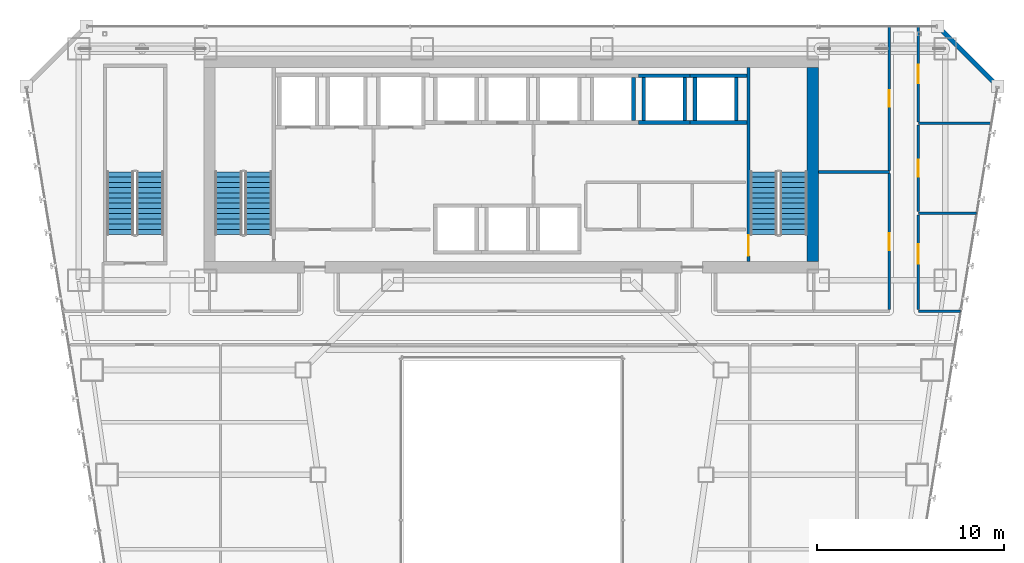
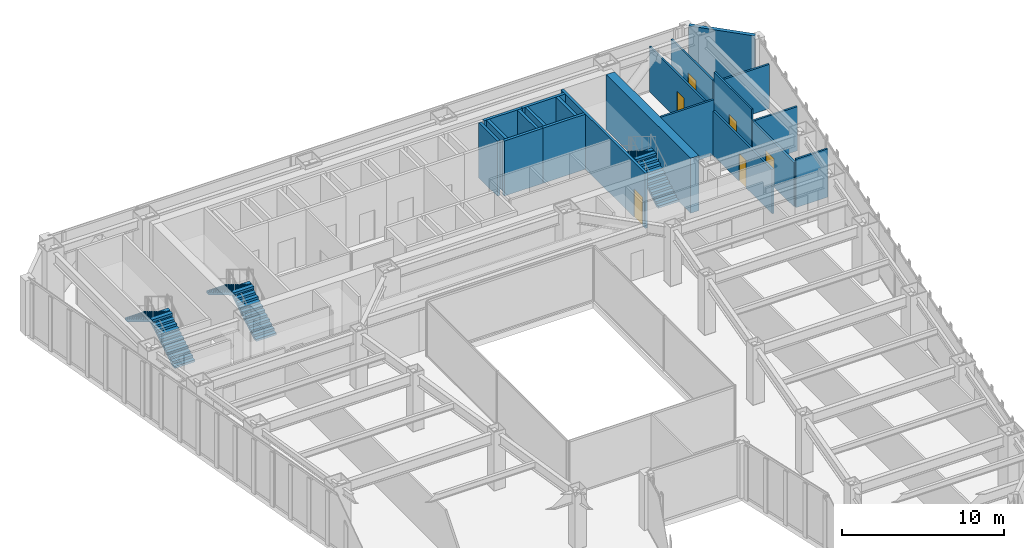
# One storey, part 38 of 49: 21 walls, 6 doors, 6 stair flights, 6 openings, 3 elements without a shape of their own.
"""IFC4 building model written with IfcOpenShell, lengths in metres."""

from ifc_helpers import new_model, si_unit, direction, frame, frame_2d, origin, place, context, subcontext, project, spatial, polyline, rectangle, outline, extrude, material, layer, layer_set, type_object, element, fill, aggregate, save


model = new_model("IFC4")

# Units and contexts
model_context = context("Model", 3, precision=1e-05, world=origin(), true_north=direction((0.0, 1.0)))
body_context = subcontext(model_context, "Body", "Model", "MODEL_VIEW")
ifc_project = project(units=[si_unit("LENGTHUNIT", "METRE"), si_unit("AREAUNIT", "SQUARE_METRE"), si_unit("VOLUMEUNIT", "CUBIC_METRE"), si_unit("PLANEANGLEUNIT", "RADIAN"), si_unit("MASSUNIT", "GRAM", prefix="KILO")], contexts=[model_context])

# Site, building, storey
site_placement = place(None, origin())
site = spatial("IfcSite", under=ifc_project, at=site_placement, CompositionType="ELEMENT")
building_placement = place(site_placement, origin())
building = spatial("IfcBuilding", under=site, at=building_placement, Name="Saevonmaru Cultural Tower", CompositionType="ELEMENT")
storey_placement = place(building_placement, frame((0.0, 0.0, 38.39990234375)))
storey = spatial("IfcBuildingStorey", under=building, at=storey_placement, Name="L07", CompositionType="ELEMENT", Elevation=38.39990234375)

# Walls
ifc_material_1 = material(Name="Concrete C60/75", Category="concrete")
ifc_layer_1 = layer(ifc_material_1, 0.60009765625, Name="Concrete C60/75")
ifc_layer_set_1 = layer_set([ifc_layer_1], Name="Concrete C60/75")
wall_type_1 = type_object("IfcWallType", Name="WL-CORE-600", PredefinedType="SHEAR", material=ifc_layer_set_1)
wall_1_placement = place(storey_placement, frame((46.10009765625, 43.39990234375, 0.0), z_axis=(0.0, 0.0, 1.0), x_axis=(0.0, 1.0, 0.0)))
element("IfcWall", 1, at=wall_1_placement, inside=storey, type_object=wall_type_1, Name="L07 Tower RC core shear wall E", PredefinedType="SHEAR", context=body_context, shape_type="SweptSolid", body=[
    extrude(rectangle(XDim=10.400146484375, YDim=0.60009765625, at=frame_2d((5.2001953125, 0.0))), origin(), (0.0, 0.0, 1.0), 4.150146484375),
])
ifc_material_2 = material(Name="Granite-Clad Precast Concrete C40/50", Category="masonry")
ifc_layer_2 = layer(ifc_material_2, 0.260009765625, Name="Granite-Clad Precast Concrete C40/50")
ifc_layer_set_2 = layer_set([ifc_layer_2], Name="Granite-Clad Precast Concrete C40/50")
wall_type_2 = type_object("IfcWallType", Name="WL-EXT-SPANDREL-260", PredefinedType="STANDARD", material=ifc_layer_set_2)
wall_2_placement = place(storey_placement, frame((55.886962890625, 52.9130859375, 0.0), z_axis=(0.0, 0.0, 1.0), x_axis=(-0.707106781187, 0.707106781187, 0.0)))
element("IfcWall", 2, at=wall_2_placement, inside=storey, type_object=wall_type_2, Name="L07 Chamfer Corner Spandrel Wall E9", PredefinedType="STANDARD", context=body_context, shape_type="SweptSolid", body=[
    extrude(rectangle(XDim=4.205810546875, YDim=0.260009765625, at=frame_2d((2.10302734375, 0.0))), origin(), (0.0, 0.0, 1.0), 4.150146484375),
])

# Wall, opening, door
ifc_material_3 = material(Name="Gypsum Fireboard Partition", Category="gypsum")
ifc_layer_3 = layer(ifc_material_3, 0.14990234375, Name="Gypsum Fireboard Partition")
ifc_layer_set_3 = layer_set([ifc_layer_3], Name="Gypsum Fireboard Partition")
wall_type_3 = type_object("IfcWallType", Name="WL-PART-FIRE-150", PredefinedType="PARTITIONING", material=ifc_layer_set_3)
wall_3_placement = place(storey_placement, frame((51.75, 40.83740234375, 0.0), z_axis=(0.0, 0.0, 1.0), x_axis=(0.0, 1.0, 0.0)))
wall_3 = element("IfcWall", 3, at=wall_3_placement, inside=storey, type_object=wall_type_3, Name="L07 Permanent Exhibition Gallery Corridor Wall", PredefinedType="PARTITIONING", context=body_context, shape_type="SweptSolid", body=[
    extrude(rectangle(XDim=5.0751953125, YDim=0.14990234375, at=frame_2d((2.53759765625, 0.0))), origin(), (0.0, 0.0, 1.0), 3.335205078125),
])
opening_1_placement = place(wall_3_placement, frame((2.452880859375, 0.0, 0.0)))
opening_1 = element("IfcOpeningElement", 4, at=opening_1_placement, cuts=wall_3, Name="Opening ID-1", PredefinedType="OPENING", context=body_context, shape_type="SweptSolid", body=[
    extrude(rectangle(XDim=1.050048828125, YDim=2.14990234375, at=frame_2d((0.52490234375, 1.074951171875))), frame((0.0, 0.0849609375, 0.0), z_axis=(0.0, -1.0, 0.0), x_axis=(1.0, 0.0, 0.0)), (0.0, 0.0, 1.0), 0.169921875),
])
ifc_material_4 = material(Name="Satin Bronze Anodised Aluminium", Category="aluminium")
door_type_1 = type_object("IfcDoorType", Name="DR-INT-1050", OperationType="SINGLE_SWING_LEFT", PredefinedType="DOOR", material=ifc_material_4)
door_1_placement = place(opening_1_placement, origin())
door_1 = element("IfcDoor", 5, at=door_1_placement, inside=storey, type_object=door_type_1, Name="L07 Permanent Exhibition Gallery Door", OperationType="SINGLE_SWING_RIGHT", OverallHeight=2.14990234375, OverallWidth=1.050048828125, PredefinedType="DOOR", context=body_context, shape_type="SweptSolid", body=[
    extrude(rectangle(XDim=1.050048828125, YDim=2.14990234375, at=frame_2d((0.52490234375, 1.074951171875))), frame((0.0, 0.02490234375, 0.0), z_axis=(0.0, -1.0, 0.0), x_axis=(1.0, 0.0, 0.0)), (0.0, 0.0, 1.0), 0.050048828125),
])
fill(opening_1, door_1)

ifc_layer_4 = layer(ifc_material_3, 0.1201171875, Name="Gypsum Fireboard Partition")
ifc_layer_set_4 = layer_set([ifc_layer_4], Name="Gypsum Fireboard Partition")
wall_type_4 = type_object("IfcWallType", Name="WL-PART-GYP-120", PredefinedType="PARTITIONING", material=ifc_layer_set_4)
wall_4_placement = place(storey_placement, frame((50.199951171875, 48.2900390625, 0.0), z_axis=(0.0, 0.0, 1.0), x_axis=(0.0, 1.0, 0.0)))
wall_4 = element("IfcWall", 6, at=wall_4_placement, inside=storey, type_object=wall_type_4, Name="L07 Curatorial Research Office Corridor Wall", PredefinedType="PARTITIONING", context=body_context, shape_type="SweptSolid", body=[
    extrude(rectangle(XDim=7.705078125, YDim=0.1201171875, at=frame_2d((3.8525390625, 0.0))), origin(), (0.0, 0.0, 1.0), 3.43505859375),
])
opening_2_placement = place(wall_4_placement, frame((3.402099609375, 0.0, 0.0)))
opening_2 = element("IfcOpeningElement", 7, at=opening_2_placement, cuts=wall_4, Name="Opening ID-2", PredefinedType="OPENING", context=body_context, shape_type="SweptSolid", body=[
    extrude(rectangle(XDim=0.89990234375, YDim=2.10009765625, at=frame_2d((0.449951171875, 1.050048828125))), frame((0.0, 0.070068359375, 0.0), z_axis=(0.0, -1.0, 0.0), x_axis=(1.0, 0.0, 0.0)), (0.0, 0.0, 1.0), 0.14013671875),
])
ifc_material_5 = material(Name="Acoustic Stained Oak Timber", Category="wood")
door_type_2 = type_object("IfcDoorType", Name="DR-INT-900", OperationType="SINGLE_SWING_RIGHT", PredefinedType="DOOR", material=ifc_material_5)
door_2_placement = place(opening_2_placement, origin())
door_2 = element("IfcDoor", 8, at=door_2_placement, inside=storey, type_object=door_type_2, Name="L07 Curatorial Research Office Door", OperationType="SINGLE_SWING_LEFT", OverallHeight=2.10009765625, OverallWidth=0.89990234375, PredefinedType="DOOR", context=body_context, shape_type="SweptSolid", body=[
    extrude(rectangle(XDim=0.89990234375, YDim=2.10009765625, at=frame_2d((0.449951171875, 1.050048828125))), frame((0.0, 0.02490234375, 0.0), z_axis=(0.0, -1.0, 0.0), x_axis=(1.0, 0.0, 0.0)), (0.0, 0.0, 1.0), 0.050048828125),
])
fill(opening_2, door_2)

wall_5_placement = place(storey_placement, frame((51.75, 46.08740234375, 0.0), z_axis=(0.0, 0.0, 1.0), x_axis=(0.0, 1.0, 0.0)))
wall_5 = element("IfcWall", 9, at=wall_5_placement, inside=storey, type_object=wall_type_4, Name="L07 Design Seminar Classroom Corridor Wall", PredefinedType="PARTITIONING", context=body_context, shape_type="SweptSolid", body=[
    extrude(rectangle(XDim=4.625, YDim=0.1201171875, at=frame_2d((2.3125, 0.0))), origin(), (0.0, 0.0, 1.0), 4.150146484375),
])
opening_3_placement = place(wall_5_placement, frame((1.863037109375, 0.0, 0.0)))
opening_3 = element("IfcOpeningElement", 10, at=opening_3_placement, cuts=wall_5, Name="Opening ID-2", PredefinedType="OPENING", context=body_context, shape_type="SweptSolid", body=[
    extrude(rectangle(XDim=0.89990234375, YDim=2.10009765625, at=frame_2d((0.449951171875, 1.050048828125))), frame((0.0, 0.070068359375, 0.0), z_axis=(0.0, -1.0, 0.0), x_axis=(1.0, 0.0, 0.0)), (0.0, 0.0, 1.0), 0.14013671875),
])
door_3_placement = place(opening_3_placement, origin())
door_3 = element("IfcDoor", 11, at=door_3_placement, inside=storey, type_object=door_type_2, Name="L07 Design Seminar Classroom Door", OperationType="SINGLE_SWING_LEFT", OverallHeight=2.10009765625, OverallWidth=0.89990234375, PredefinedType="DOOR", context=body_context, shape_type="SweptSolid", body=[
    extrude(rectangle(XDim=0.89990234375, YDim=2.10009765625, at=frame_2d((0.449951171875, 1.050048828125))), frame((0.0, 0.02490234375, 0.0), z_axis=(0.0, -1.0, 0.0), x_axis=(1.0, 0.0, 0.0)), (0.0, 0.0, 1.0), 0.050048828125),
])
fill(opening_3, door_3)

wall_6_placement = place(storey_placement, frame((51.75, 50.887451171875, 0.0), z_axis=(0.0, 0.0, 1.0), x_axis=(0.0, 1.0, 0.0)))
wall_6 = element("IfcWall", 12, at=wall_6_placement, inside=storey, type_object=wall_type_4, Name="L07 Museum Espresso Cafe Corridor Wall", PredefinedType="PARTITIONING", context=body_context, shape_type="SweptSolid", body=[
    extrude(rectangle(XDim=5.107666015625, YDim=0.1201171875, at=frame_2d((2.5537109375, 0.0))), origin(), (0.0, 0.0, 1.0), 3.43505859375),
])
opening_4_placement = place(wall_6_placement, frame((2.053955078125, 0.0, 0.0)))
opening_4 = element("IfcOpeningElement", 13, at=opening_4_placement, cuts=wall_6, Name="Opening ID-1B", PredefinedType="OPENING", context=body_context, shape_type="SweptSolid", body=[
    extrude(rectangle(XDim=1.0, YDim=2.14990234375, at=frame_2d((0.5, 1.074951171875))), frame((0.0, 0.070068359375, 0.0), z_axis=(0.0, -1.0, 0.0), x_axis=(1.0, 0.0, 0.0)), (0.0, 0.0, 1.0), 0.14013671875),
])
door_type_3 = type_object("IfcDoorType", Name="DR-INT-1000", OperationType="SINGLE_SWING_RIGHT", PredefinedType="DOOR", material=ifc_material_5)
door_4_placement = place(opening_4_placement, origin())
door_4 = element("IfcDoor", 14, at=door_4_placement, inside=storey, type_object=door_type_3, Name="L07 Museum Espresso Cafe Door", OperationType="SINGLE_SWING_RIGHT", OverallHeight=2.14990234375, OverallWidth=1.0, PredefinedType="DOOR", context=body_context, shape_type="SweptSolid", body=[
    extrude(rectangle(XDim=1.0, YDim=2.14990234375, at=frame_2d((0.5, 1.074951171875))), frame((0.0, 0.02490234375, 0.0), z_axis=(0.0, -1.0, 0.0), x_axis=(1.0, 0.0, 0.0)), (0.0, 0.0, 1.0), 0.050048828125),
])
fill(opening_4, door_4)

# Walls
ifc_layer_5 = layer(ifc_material_3, 0.135009765625, Name="Gypsum Fireboard Partition")
ifc_layer_set_5 = layer_set([ifc_layer_5], Name="Gypsum Fireboard Partition")
wall_type_5 = type_object("IfcWallType", Name="WL-PART-GYP-135", PredefinedType="PARTITIONING", material=ifc_layer_set_5)
wall_7_placement = place(storey_placement, frame((51.75, 40.75, 0.0), z_axis=(0.0, 0.0, 1.0), x_axis=(1.0, 0.0, 0.0)))
element("IfcWall", 15, at=wall_7_placement, inside=storey, type_object=wall_type_5, Name="L07 NE Wing South Wall", PredefinedType="PARTITIONING", context=body_context, shape_type="SweptSolid", body=[
    extrude(rectangle(XDim=2.2705078125, YDim=0.135009765625, at=frame_2d((1.13525390625, 0.0))), origin(), (0.0, 0.0, 1.0), 3.635009765625),
])
wall_8_placement = place(storey_placement, frame((51.75, 46.0, 0.0), z_axis=(0.0, 0.0, 1.0), x_axis=(1.0, 0.0, 0.0)))
element("IfcWall", 16, at=wall_8_placement, inside=storey, type_object=wall_type_5, Name="L07 NE Studio Divider 1", PredefinedType="PARTITIONING", context=body_context, shape_type="SweptSolid", body=[
    extrude(rectangle(XDim=3.130615234375, YDim=0.135009765625, at=frame_2d((1.5654296875, 0.0))), origin(), (0.0, 0.0, 1.0), 3.335205078125),
])
wall_9_placement = place(storey_placement, frame((51.75, 50.800048828125, 0.0), z_axis=(0.0, 0.0, 1.0), x_axis=(1.0, 0.0, 0.0)))
element("IfcWall", 17, at=wall_9_placement, inside=storey, type_object=wall_type_5, Name="L07 NE Studio Divider 2", PredefinedType="PARTITIONING", context=body_context, shape_type="SweptSolid", body=[
    extrude(rectangle(XDim=3.917236328125, YDim=0.135009765625, at=frame_2d((1.95849609375, 0.0))), origin(), (0.0, 0.0, 1.0), 3.335205078125),
])
ifc_layer_6 = layer(ifc_material_3, 0.139892578125, Name="Gypsum Fireboard Partition")
ifc_layer_set_6 = layer_set([ifc_layer_6], Name="Gypsum Fireboard Partition")
wall_type_6 = type_object("IfcWallType", Name="WL-PART-WET-140", PredefinedType="PARTITIONING", material=ifc_layer_set_6)
wall_10_placement = place(storey_placement, frame((46.419921875, 48.199951171875, 0.0), z_axis=(0.0, 0.0, 1.0), x_axis=(1.0, 0.0, 0.0)))
element("IfcWall", 18, at=wall_10_placement, inside=storey, type_object=wall_type_6, Name="L07 Washroom North Wall", PredefinedType="PARTITIONING", context=body_context, shape_type="SweptSolid", body=[
    extrude(rectangle(XDim=3.780029296875, YDim=0.139892578125, at=frame_2d((1.89013671875, 0.0))), origin(), (0.0, 0.0, 1.0), 4.150146484375),
])

# Wall, opening, door
wall_11_placement = place(storey_placement, frame((50.199951171875, 40.840087890625, 0.0), z_axis=(0.0, 0.0, 1.0), x_axis=(0.0, 1.0, 0.0)))
wall_11 = element("IfcWall", 19, at=wall_11_placement, inside=storey, type_object=wall_type_6, Name="L07 Washroom Corridor Wall", PredefinedType="PARTITIONING", context=body_context, shape_type="SweptSolid", body=[
    extrude(rectangle(XDim=7.27001953125, YDim=0.139892578125, at=frame_2d((3.635009765625, 0.0))), origin(), (0.0, 0.0, 1.0), 3.335205078125),
])
opening_5_placement = place(wall_11_placement, frame((3.18505859375, 0.0, 0.0)))
opening_5 = element("IfcOpeningElement", 20, at=opening_5_placement, cuts=wall_11, Name="Opening ID-2", PredefinedType="OPENING", context=body_context, shape_type="SweptSolid", body=[
    extrude(rectangle(XDim=0.89990234375, YDim=2.10009765625, at=frame_2d((0.449951171875, 1.050048828125))), frame((0.0, 0.080078125, 0.0), z_axis=(0.0, -1.0, 0.0), x_axis=(1.0, 0.0, 0.0)), (0.0, 0.0, 1.0), 0.159912109375),
])
door_5_placement = place(opening_5_placement, origin())
door_5 = element("IfcDoor", 21, at=door_5_placement, inside=storey, type_object=door_type_2, Name="L07 Public Accessible Washrooms Door", OperationType="SINGLE_SWING_RIGHT", OverallHeight=2.10009765625, OverallWidth=0.89990234375, PredefinedType="DOOR", context=body_context, shape_type="SweptSolid", body=[
    extrude(rectangle(XDim=0.89990234375, YDim=2.10009765625, at=frame_2d((0.449951171875, 1.050048828125))), frame((0.0, 0.02490234375, 0.0), z_axis=(0.0, -1.0, 0.0), x_axis=(1.0, 0.0, 0.0)), (0.0, 0.0, 1.0), 0.050048828125),
])
fill(opening_5, door_5)

# Walls
ifc_material_6 = material(Name="Concrete C40/50", Category="concrete")
ifc_layer_7 = layer(ifc_material_6, 0.199951171875, Name="Concrete C40/50")
ifc_layer_set_7 = layer_set([ifc_layer_7], Name="Concrete C40/50")
wall_type_7 = type_object("IfcWallType", Name="WL-SHAFT-200", PredefinedType="SHEAR", material=ifc_layer_set_7)
wall_12_placement = place(storey_placement, frame((36.5, 50.949951171875, 0.0), z_axis=(0.0, 0.0, 1.0), x_axis=(0.0, 1.0, 0.0)))
element("IfcWall", 22, at=wall_12_placement, inside=storey, type_object=wall_type_7, Name="L07 Lift PL-H1 Hoistway Wall E", PredefinedType="SHEAR", context=body_context, shape_type="SweptSolid", body=[
    extrude(rectangle(XDim=2.300048828125, YDim=0.199951171875, at=frame_2d((1.14990234375, 0.0))), origin(), (0.0, 0.0, 1.0), 4.150146484375),
])
for number, where, z_axis, x_axis, name in (
    (23, (36.77490234375, 50.85009765625, 0.0), (0.0, 0.0, 1.0), (1.0, 0.0, 0.0), "L07 Lift PL-H2 Hoistway Wall S"),
    (24, (36.77490234375, 53.35009765625, 0.0), (0.0, 0.0, 1.0), (1.0, 0.0, 0.0), "L07 Lift PL-H2 Hoistway Wall N"),
):
    element("IfcWall", number, at=place(storey_placement, frame(where, z_axis=z_axis, x_axis=x_axis)), inside=storey, type_object=wall_type_7, Name=name, PredefinedType="SHEAR", context=body_context, shape_type="SweptSolid", body=[
        extrude(rectangle(XDim=2.75, YDim=0.199951171875, at=frame_2d((1.375, 0.0))), origin(), (0.0, 0.0, 1.0), 4.150146484375),
    ])
for number, where, z_axis, x_axis, name in (
    (25, (37.050048828125, 50.949951171875, 0.0), (0.0, 0.0, 1.0), (0.0, 1.0, 0.0), "L07 Lift PL-H2 Hoistway Wall W"),
    (26, (39.25, 50.949951171875, 0.0), (0.0, 0.0, 1.0), (0.0, 1.0, 0.0), "L07 Lift PL-H2 Hoistway Wall E"),
):
    element("IfcWall", number, at=place(storey_placement, frame(where, z_axis=z_axis, x_axis=x_axis)), inside=storey, type_object=wall_type_7, Name=name, PredefinedType="SHEAR", context=body_context, shape_type="SweptSolid", body=[
        extrude(rectangle(XDim=2.300048828125, YDim=0.199951171875, at=frame_2d((1.14990234375, 0.0))), origin(), (0.0, 0.0, 1.0), 4.150146484375),
    ])
for number, where, z_axis, x_axis, name in (
    (27, (39.52490234375, 50.85009765625, 0.0), (0.0, 0.0, 1.0), (1.0, 0.0, 0.0), "L07 Lift PL-H3 Hoistway Wall S"),
    (28, (39.52490234375, 53.35009765625, 0.0), (0.0, 0.0, 1.0), (1.0, 0.0, 0.0), "L07 Lift PL-H3 Hoistway Wall N"),
):
    element("IfcWall", number, at=place(storey_placement, frame(where, z_axis=z_axis, x_axis=x_axis)), inside=storey, type_object=wall_type_7, Name=name, PredefinedType="SHEAR", context=body_context, shape_type="SweptSolid", body=[
        extrude(rectangle(XDim=3.045166015625, YDim=0.199951171875, at=frame_2d((1.5224609375, 0.0))), origin(), (0.0, 0.0, 1.0), 4.150146484375),
    ])
for number, where, z_axis, x_axis, name in (
    (29, (39.800048828125, 50.949951171875, 0.0), (0.0, 0.0, 1.0), (0.0, 1.0, 0.0), "L07 Lift PL-H3 Hoistway Wall W"),
    (30, (42.0, 50.949951171875, 0.0), (0.0, 0.0, 1.0), (0.0, 1.0, 0.0), "L07 Lift PL-H3 Hoistway Wall E"),
):
    element("IfcWall", number, at=place(storey_placement, frame(where, z_axis=z_axis, x_axis=x_axis)), inside=storey, type_object=wall_type_7, Name=name, PredefinedType="SHEAR", context=body_context, shape_type="SweptSolid", body=[
        extrude(rectangle(XDim=2.300048828125, YDim=0.199951171875, at=frame_2d((1.14990234375, 0.0))), origin(), (0.0, 0.0, 1.0), 4.150146484375),
    ])

# Wall, opening, door
ifc_layer_8 = layer(ifc_material_6, 0.179931640625, Name="Concrete C40/50")
ifc_layer_set_8 = layer_set([ifc_layer_8], Name="Concrete C40/50")
wall_type_8 = type_object("IfcWallType", Name="WL-STSHAFT-180", PredefinedType="SHEAR", material=ifc_layer_set_8)
wall_13_placement = place(storey_placement, frame((42.659912109375, 53.800048828125, 0.0), z_axis=(0.0, 0.0, 1.0), x_axis=(0.0, -1.0, 0.0)))
wall_13 = element("IfcWall", 31, at=wall_13_placement, inside=storey, type_object=wall_type_8, Name="L07 Stair ST-2 Structural Shaft Wall 1", PredefinedType="SHEAR", context=body_context, shape_type="SweptSolid", body=[
    extrude(rectangle(XDim=10.400146484375, YDim=0.179931640625, at=frame_2d((5.2001953125, 0.0))), origin(), (0.0, 0.0, 1.0), 4.150146484375),
])
opening_6_placement = place(wall_13_placement, frame((8.989990234375, 0.0, 0.0)))
opening_6 = element("IfcOpeningElement", 32, at=opening_6_placement, cuts=wall_13, Name="Opening FD-2", PredefinedType="OPENING", context=body_context, shape_type="SweptSolid", body=[
    extrude(rectangle(XDim=1.10009765625, YDim=2.14990234375, at=frame_2d((0.550048828125, 1.074951171875))), frame((0.0, 0.10009765625, 0.0), z_axis=(0.0, -1.0, 0.0), x_axis=(1.0, 0.0, 0.0)), (0.0, 0.0, 1.0), 0.199951171875),
])
door_type_4 = type_object("IfcDoorType", Name="DR-FD60-1100", OperationType="SINGLE_SWING_LEFT", PredefinedType="DOOR", material=ifc_material_4)
door_6_placement = place(opening_6_placement, origin())
door_6 = element("IfcDoor", 33, at=door_6_placement, inside=storey, type_object=door_type_4, Name="L07 Protected Stair ST-2 Fire Door", OperationType="SINGLE_SWING_LEFT", OverallHeight=2.14990234375, OverallWidth=1.10009765625, PredefinedType="DOOR", context=body_context, shape_type="SweptSolid", body=[
    extrude(rectangle(XDim=1.10009765625, YDim=2.14990234375, at=frame_2d((0.550048828125, 1.074951171875))), frame((0.0, 0.02490234375, 0.0), z_axis=(0.0, -1.0, 0.0), x_axis=(1.0, 0.0, 0.0)), (0.0, 0.0, 1.0), 0.050048828125),
])
fill(opening_6, door_6)

# Stair, stair flights
stair_type = type_object("IfcStairType", Name="STR-DOGLEG-RC", PredefinedType="HALF_TURN_STAIR", material=ifc_material_6)
stair_1_placement = place(storey_placement, origin())
stair_1 = element("IfcStair", 34, at=stair_1_placement, inside=storey, type_object=stair_type, Name="L07 Protected exit stair ST-1", PredefinedType="HALF_TURN_STAIR")
ifc_material_7 = material(Name="Precast concrete C40/50", Category="concrete")
stair_flight_type = type_object("IfcStairFlightType", Name="STF-PRECAST-180", PredefinedType="STRAIGHT", material=ifc_material_7)
stair_flight_1_placement = place(storey_placement, frame((16.425048828125, 44.85009765625, 0.0), z_axis=(0.0, 0.0, 1.0), x_axis=(0.0, 1.0, 0.0)))
stair_flight_1 = element("IfcStairFlight", 35, at=stair_flight_1_placement, type_object=stair_flight_type, Name="ST-1-L07 flight 1", NumberOfRisers=13, NumberOfTreads=12, PredefinedType="STRAIGHT", RiserHeight=0.169230769, TreadLength=0.28, context=body_context, shape_type="SweptSolid", body=[
    extrude(outline(polyline([(0.0, 0.0), (0.0, 0.169189453125), (0.280029296875, 0.169189453125), (0.280029296875, 0.33837890625), (0.56005859375, 0.33837890625), (0.56005859375, 0.5078125), (0.840087890625, 0.5078125), (0.840087890625, 0.677001953125), (1.1201171875, 0.677001953125), (1.1201171875, 0.84619140625), (1.39990234375, 0.84619140625), (1.39990234375, 1.015380859375), (1.679931640625, 1.015380859375), (1.679931640625, 1.1845703125), (1.9599609375, 1.1845703125), (1.9599609375, 1.353759765625), (2.239990234375, 1.353759765625), (2.239990234375, 1.523193359375), (2.52001953125, 1.523193359375), (2.52001953125, 1.6923828125), (2.800048828125, 1.6923828125), (2.800048828125, 1.861572265625), (3.080078125, 1.861572265625), (3.080078125, 2.03076171875), (3.360107421875, 2.03076171875), (3.360107421875, 2.199951171875), (3.360107421875, 1.855712890625), (0.289794921875, 0.0), (0.0, 0.0)])), frame((0.0, 0.72509765625, 0.0), z_axis=(0.0, -1.0, 0.0), x_axis=(1.0, 0.0, 0.0)), (0.0, 0.0, 1.0), 1.449951171875),
])
stair_flight_2_placement = place(storey_placement, frame((14.824951171875, 48.2099609375, 2.2001953125), z_axis=(0.0, 0.0, 1.0), x_axis=(0.0, -1.0, 0.0)))
stair_flight_2 = element("IfcStairFlight", 36, at=stair_flight_2_placement, type_object=stair_flight_type, Name="ST-1-L07 flight 2", NumberOfRisers=13, NumberOfTreads=12, PredefinedType="STRAIGHT", RiserHeight=0.169230769, TreadLength=0.28, context=body_context, shape_type="SweptSolid", body=[
    extrude(outline(polyline([(0.0, 0.0), (0.0, 0.169189453125), (0.280029296875, 0.169189453125), (0.280029296875, 0.33837890625), (0.56005859375, 0.33837890625), (0.56005859375, 0.5078125), (0.840087890625, 0.5078125), (0.840087890625, 0.677001953125), (1.1201171875, 0.677001953125), (1.1201171875, 0.84619140625), (1.39990234375, 0.84619140625), (1.39990234375, 1.015380859375), (1.679931640625, 1.015380859375), (1.679931640625, 1.1845703125), (1.9599609375, 1.1845703125), (1.9599609375, 1.353759765625), (2.239990234375, 1.353759765625), (2.239990234375, 1.523193359375), (2.52001953125, 1.523193359375), (2.52001953125, 1.6923828125), (2.800048828125, 1.6923828125), (2.800048828125, 1.861572265625), (3.080078125, 1.861572265625), (3.080078125, 2.03076171875), (3.360107421875, 2.03076171875), (3.360107421875, 2.199951171875), (3.360107421875, 1.855712890625), (0.289794921875, 0.0), (0.0, 0.0)])), frame((0.0, 0.72509765625, 0.0), z_axis=(0.0, -1.0, 0.0), x_axis=(1.0, 0.0, 0.0)), (0.0, 0.0, 1.0), 1.449951171875),
])
aggregate(stair_1, [stair_flight_1, stair_flight_2])

stair_2_placement = place(storey_placement, origin())
stair_2 = element("IfcStair", 37, at=stair_2_placement, inside=storey, type_object=stair_type, Name="L07 Protected exit stair ST-2", PredefinedType="HALF_TURN_STAIR")
stair_flight_3_placement = place(storey_placement, frame((45.074951171875, 44.85009765625, 0.0), z_axis=(0.0, 0.0, 1.0), x_axis=(0.0, 1.0, 0.0)))
stair_flight_3 = element("IfcStairFlight", 38, at=stair_flight_3_placement, type_object=stair_flight_type, Name="ST-2-L07 flight 1", NumberOfRisers=13, NumberOfTreads=12, PredefinedType="STRAIGHT", RiserHeight=0.169230769, TreadLength=0.28, context=body_context, shape_type="SweptSolid", body=[
    extrude(outline(polyline([(0.0, 0.0), (0.0, 0.169189453125), (0.280029296875, 0.169189453125), (0.280029296875, 0.33837890625), (0.56005859375, 0.33837890625), (0.56005859375, 0.5078125), (0.840087890625, 0.5078125), (0.840087890625, 0.677001953125), (1.1201171875, 0.677001953125), (1.1201171875, 0.84619140625), (1.39990234375, 0.84619140625), (1.39990234375, 1.015380859375), (1.679931640625, 1.015380859375), (1.679931640625, 1.1845703125), (1.9599609375, 1.1845703125), (1.9599609375, 1.353759765625), (2.239990234375, 1.353759765625), (2.239990234375, 1.523193359375), (2.52001953125, 1.523193359375), (2.52001953125, 1.6923828125), (2.800048828125, 1.6923828125), (2.800048828125, 1.861572265625), (3.080078125, 1.861572265625), (3.080078125, 2.03076171875), (3.360107421875, 2.03076171875), (3.360107421875, 2.199951171875), (3.360107421875, 1.855712890625), (0.289794921875, 0.0), (0.0, 0.0)])), frame((0.0, 0.72509765625, 0.0), z_axis=(0.0, -1.0, 0.0), x_axis=(1.0, 0.0, 0.0)), (0.0, 0.0, 1.0), 1.449951171875),
])
stair_flight_4_placement = place(storey_placement, frame((43.47509765625, 48.2099609375, 2.2001953125), z_axis=(0.0, 0.0, 1.0), x_axis=(0.0, -1.0, 0.0)))
stair_flight_4 = element("IfcStairFlight", 39, at=stair_flight_4_placement, type_object=stair_flight_type, Name="ST-2-L07 flight 2", NumberOfRisers=13, NumberOfTreads=12, PredefinedType="STRAIGHT", RiserHeight=0.169230769, TreadLength=0.28, context=body_context, shape_type="SweptSolid", body=[
    extrude(outline(polyline([(0.0, 0.0), (0.0, 0.169189453125), (0.280029296875, 0.169189453125), (0.280029296875, 0.33837890625), (0.56005859375, 0.33837890625), (0.56005859375, 0.5078125), (0.840087890625, 0.5078125), (0.840087890625, 0.677001953125), (1.1201171875, 0.677001953125), (1.1201171875, 0.84619140625), (1.39990234375, 0.84619140625), (1.39990234375, 1.015380859375), (1.679931640625, 1.015380859375), (1.679931640625, 1.1845703125), (1.9599609375, 1.1845703125), (1.9599609375, 1.353759765625), (2.239990234375, 1.353759765625), (2.239990234375, 1.523193359375), (2.52001953125, 1.523193359375), (2.52001953125, 1.6923828125), (2.800048828125, 1.6923828125), (2.800048828125, 1.861572265625), (3.080078125, 1.861572265625), (3.080078125, 2.03076171875), (3.360107421875, 2.03076171875), (3.360107421875, 2.199951171875), (3.360107421875, 1.855712890625), (0.289794921875, 0.0), (0.0, 0.0)])), frame((0.0, 0.72509765625, 0.0), z_axis=(0.0, -1.0, 0.0), x_axis=(1.0, 0.0, 0.0)), (0.0, 0.0, 1.0), 1.449951171875),
])
aggregate(stair_2, [stair_flight_3, stair_flight_4])

stair_3_placement = place(storey_placement, origin())
stair_3 = element("IfcStair", 40, at=stair_3_placement, inside=storey, type_object=stair_type, Name="L07 Protected exit stair ST-3", PredefinedType="HALF_TURN_STAIR")
stair_flight_5_placement = place(storey_placement, frame((10.625, 44.85009765625, 0.0), z_axis=(0.0, 0.0, 1.0), x_axis=(0.0, 1.0, 0.0)))
stair_flight_5 = element("IfcStairFlight", 41, at=stair_flight_5_placement, type_object=stair_flight_type, Name="ST-3-L07 flight 1", NumberOfRisers=13, NumberOfTreads=12, PredefinedType="STRAIGHT", RiserHeight=0.169230769, TreadLength=0.28, context=body_context, shape_type="SweptSolid", body=[
    extrude(outline(polyline([(0.0, 0.0), (0.0, 0.169189453125), (0.280029296875, 0.169189453125), (0.280029296875, 0.33837890625), (0.56005859375, 0.33837890625), (0.56005859375, 0.5078125), (0.840087890625, 0.5078125), (0.840087890625, 0.677001953125), (1.1201171875, 0.677001953125), (1.1201171875, 0.84619140625), (1.39990234375, 0.84619140625), (1.39990234375, 1.015380859375), (1.679931640625, 1.015380859375), (1.679931640625, 1.1845703125), (1.9599609375, 1.1845703125), (1.9599609375, 1.353759765625), (2.239990234375, 1.353759765625), (2.239990234375, 1.523193359375), (2.52001953125, 1.523193359375), (2.52001953125, 1.6923828125), (2.800048828125, 1.6923828125), (2.800048828125, 1.861572265625), (3.080078125, 1.861572265625), (3.080078125, 2.03076171875), (3.360107421875, 2.03076171875), (3.360107421875, 2.199951171875), (3.360107421875, 1.855712890625), (0.289794921875, 0.0), (0.0, 0.0)])), frame((0.0, 0.72509765625, 0.0), z_axis=(0.0, -1.0, 0.0), x_axis=(1.0, 0.0, 0.0)), (0.0, 0.0, 1.0), 1.449951171875),
])
stair_flight_6_placement = place(storey_placement, frame((9.02490234375, 48.2099609375, 2.2001953125), z_axis=(0.0, 0.0, 1.0), x_axis=(0.0, -1.0, 0.0)))
stair_flight_6 = element("IfcStairFlight", 42, at=stair_flight_6_placement, type_object=stair_flight_type, Name="ST-3-L07 flight 2", NumberOfRisers=13, NumberOfTreads=12, PredefinedType="STRAIGHT", RiserHeight=0.169230769, TreadLength=0.28, context=body_context, shape_type="SweptSolid", body=[
    extrude(outline(polyline([(0.0, 0.0), (0.0, 0.169189453125), (0.280029296875, 0.169189453125), (0.280029296875, 0.33837890625), (0.56005859375, 0.33837890625), (0.56005859375, 0.5078125), (0.840087890625, 0.5078125), (0.840087890625, 0.677001953125), (1.1201171875, 0.677001953125), (1.1201171875, 0.84619140625), (1.39990234375, 0.84619140625), (1.39990234375, 1.015380859375), (1.679931640625, 1.015380859375), (1.679931640625, 1.1845703125), (1.9599609375, 1.1845703125), (1.9599609375, 1.353759765625), (2.239990234375, 1.353759765625), (2.239990234375, 1.523193359375), (2.52001953125, 1.523193359375), (2.52001953125, 1.6923828125), (2.800048828125, 1.6923828125), (2.800048828125, 1.861572265625), (3.080078125, 1.861572265625), (3.080078125, 2.03076171875), (3.360107421875, 2.03076171875), (3.360107421875, 2.199951171875), (3.360107421875, 1.855712890625), (0.289794921875, 0.0), (0.0, 0.0)])), frame((0.0, 0.72509765625, 0.0), z_axis=(0.0, -1.0, 0.0), x_axis=(1.0, 0.0, 0.0)), (0.0, 0.0, 1.0), 1.449951171875),
])
aggregate(stair_3, [stair_flight_5, stair_flight_6])

save(model, "model.ifc")
